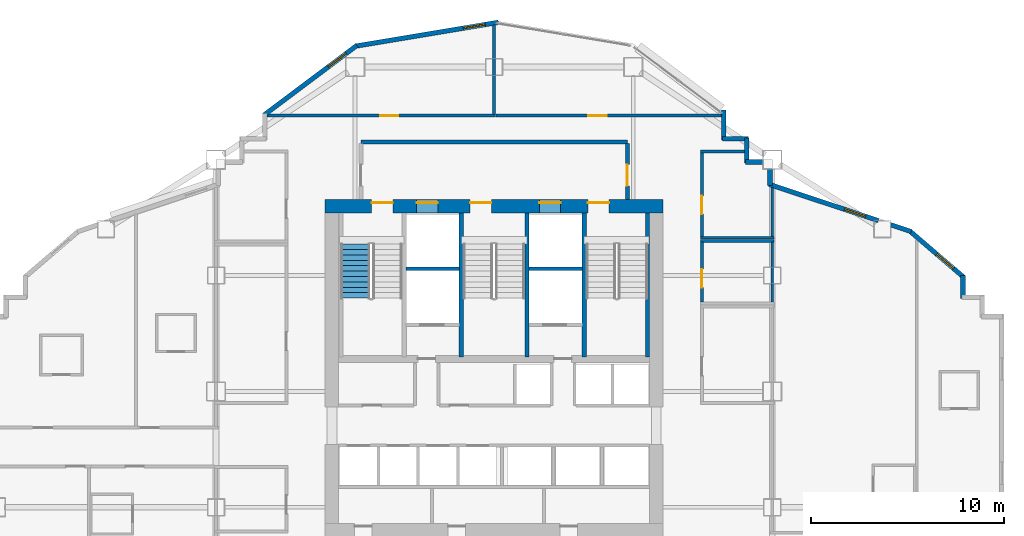
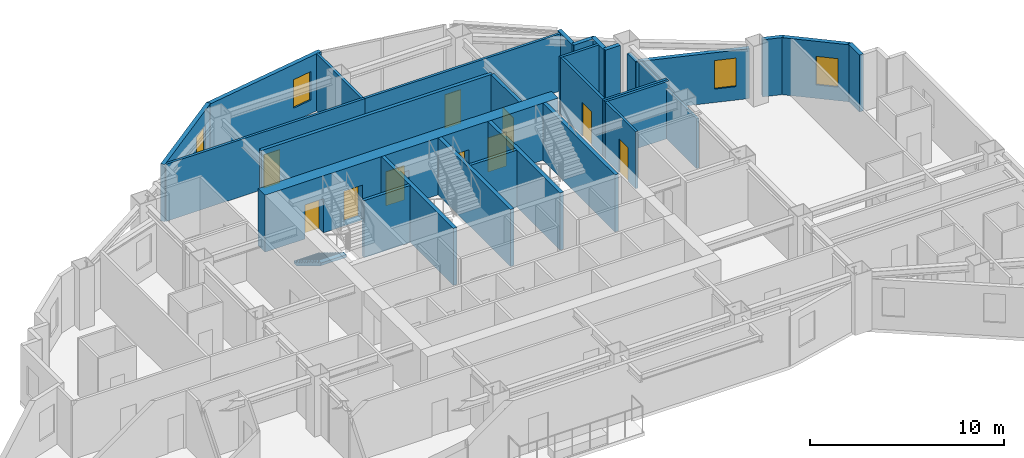
# One storey, part 9 of 14: 30 walls, 10 doors, 4 windows, 1 stair flight, 14 openings, 1 element without a shape of its own.
"""IFC4 building model written with IfcOpenShell, lengths in metres."""

from ifc_helpers import new_model, si_unit, direction, frame, frame_2d, origin, place, context, subcontext, project, spatial, polyline, rectangle, outline, extrude, material, layer, layer_set, type_object, element, fill, aggregate, save


model = new_model("IFC4")

# Units and contexts
model_context = context("Model", 3, precision=1e-05, world=origin(), true_north=direction((0.0, 1.0)))
body_context = subcontext(model_context, "Body", "Model", "MODEL_VIEW")
ifc_project = project(units=[si_unit("LENGTHUNIT", "METRE"), si_unit("AREAUNIT", "SQUARE_METRE"), si_unit("VOLUMEUNIT", "CUBIC_METRE"), si_unit("PLANEANGLEUNIT", "RADIAN"), si_unit("MASSUNIT", "GRAM", prefix="KILO")], contexts=[model_context])

# Site, building, storey
site_placement = place(None, origin())
site = spatial("IfcSite", under=ifc_project, at=site_placement, CompositionType="ELEMENT")
building_placement = place(site_placement, origin())
building = spatial("IfcBuilding", under=site, at=building_placement, Name="Haolan Belvedere Tower", CompositionType="ELEMENT")
storey_placement = place(building_placement, frame((0.0, 0.0, 113.60009765625)))
storey = spatial("IfcBuildingStorey", under=building, at=storey_placement, Name="L28", CompositionType="ELEMENT", Elevation=113.60009765625)

# Wall, openings, doors
ifc_material_1 = material(Name="Concrete C60/75", Category="concrete")
ifc_layer_1 = layer(ifc_material_1, 0.699951171875, Name="Concrete C60/75")
ifc_layer_set_1 = layer_set([ifc_layer_1], Name="Concrete C60/75")
wall_type_1 = type_object("IfcWallType", Name="WL-CORE-700", PredefinedType="SHEAR", material=ifc_layer_set_1)
wall_1_placement = place(storey_placement, frame((29.64990234375, 43.199951171875, 0.0), z_axis=(0.0, 0.0, 1.0), x_axis=(1.0, 0.0, 0.0)))
wall_1 = element("IfcWall", 1, at=wall_1_placement, inside=storey, type_object=wall_type_1, Name="L28 central core north shear wall", PredefinedType="SHEAR", context=body_context, shape_type="SweptSolid", body=[
    extrude(rectangle(XDim=17.5, YDim=0.699951171875, at=frame_2d((8.75, 0.0))), origin(), (0.0, 0.0, 1.0), 3.599853515625),
])
opening_1_placement = place(wall_1_placement, frame((2.39990234375, 0.0, 0.0)))
opening_1 = element("IfcOpeningElement", 2, at=opening_1_placement, cuts=wall_1, Name="Opening FD-03", PredefinedType="OPENING", context=body_context, shape_type="SweptSolid", body=[
    extrude(rectangle(XDim=1.10009765625, YDim=2.14990234375, at=frame_2d((0.550048828125, 1.074951171875))), frame((0.0, 0.35986328125, 0.0), z_axis=(0.0, -1.0, 0.0), x_axis=(1.0, 0.0, 0.0)), (0.0, 0.0, 1.0), 0.719970703125),
])
opening_2_placement = place(wall_1_placement, frame((7.510009765625, 0.0, 0.0)))
opening_2 = element("IfcOpeningElement", 3, at=opening_2_placement, cuts=wall_1, Name="Opening FD-03", PredefinedType="OPENING", context=body_context, shape_type="SweptSolid", body=[
    extrude(rectangle(XDim=1.10009765625, YDim=2.14990234375, at=frame_2d((0.550048828125, 1.074951171875))), frame((0.0, 0.35986328125, 0.0), z_axis=(0.0, -1.0, 0.0), x_axis=(1.0, 0.0, 0.0)), (0.0, 0.0, 1.0), 0.719970703125),
])
opening_3_placement = place(wall_1_placement, frame((13.60009765625, 0.0, 0.0)))
opening_3 = element("IfcOpeningElement", 4, at=opening_3_placement, cuts=wall_1, Name="Opening FD-03", PredefinedType="OPENING", context=body_context, shape_type="SweptSolid", body=[
    extrude(rectangle(XDim=1.10009765625, YDim=2.14990234375, at=frame_2d((0.550048828125, 1.074951171875))), frame((0.0, 0.35986328125, 0.0), z_axis=(0.0, -1.0, 0.0), x_axis=(1.0, 0.0, 0.0)), (0.0, 0.0, 1.0), 0.719970703125),
])
opening_4_placement = place(wall_1_placement, frame((4.72998046875, 0.0, 0.0)))
opening_4 = element("IfcOpeningElement", 5, at=opening_4_placement, cuts=wall_1, Name="Opening LD-01", PredefinedType="OPENING", context=body_context, shape_type="SweptSolid", body=[
    extrude(rectangle(XDim=1.10009765625, YDim=2.199951171875, at=frame_2d((0.550048828125, 1.10009765625))), frame((0.0, 0.35986328125, 0.0), z_axis=(0.0, -1.0, 0.0), x_axis=(1.0, 0.0, 0.0)), (0.0, 0.0, 1.0), 0.719970703125),
])
opening_5_placement = place(wall_1_placement, frame((11.090087890625, 0.0, 0.0)))
opening_5 = element("IfcOpeningElement", 6, at=opening_5_placement, cuts=wall_1, Name="Opening LD-01", PredefinedType="OPENING", context=body_context, shape_type="SweptSolid", body=[
    extrude(rectangle(XDim=1.10009765625, YDim=2.199951171875, at=frame_2d((0.550048828125, 1.10009765625))), frame((0.0, 0.35986328125, 0.0), z_axis=(0.0, -1.0, 0.0), x_axis=(1.0, 0.0, 0.0)), (0.0, 0.0, 1.0), 0.719970703125),
])
ifc_material_2 = material(Name="Galvanised fire-rated steel", Category="steel")
door_type_1 = type_object("IfcDoorType", Name="DR-FD90-1100", OperationType="NOTDEFINED", PredefinedType="DOOR", material=ifc_material_2)
door_1_placement = place(opening_1_placement, origin())
door_1 = element("IfcDoor", 7, at=door_1_placement, inside=storey, type_object=door_type_1, Name="L28 door CD-L28-ST1", OperationType="SINGLE_SWING_LEFT", OverallHeight=2.14990234375, OverallWidth=1.10009765625, PredefinedType="DOOR", context=body_context, shape_type="SweptSolid", body=[
    extrude(rectangle(XDim=1.10009765625, YDim=2.14990234375, at=frame_2d((0.550048828125, 1.074951171875))), frame((0.0, 0.18505859375, 0.0), z_axis=(0.0, -1.0, 0.0), x_axis=(1.0, 0.0, 0.0)), (0.0, 0.0, 1.0), 0.050048828125),
])
fill(opening_1, door_1)
door_2_placement = place(opening_2_placement, origin())
door_2 = element("IfcDoor", 8, at=door_2_placement, inside=storey, type_object=door_type_1, Name="L28 door CD-L28-ST3", OperationType="SINGLE_SWING_LEFT", OverallHeight=2.14990234375, OverallWidth=1.10009765625, PredefinedType="DOOR", context=body_context, shape_type="SweptSolid", body=[
    extrude(rectangle(XDim=1.10009765625, YDim=2.14990234375, at=frame_2d((0.550048828125, 1.074951171875))), frame((0.0, 0.18505859375, 0.0), z_axis=(0.0, -1.0, 0.0), x_axis=(1.0, 0.0, 0.0)), (0.0, 0.0, 1.0), 0.050048828125),
])
fill(opening_2, door_2)
door_3_placement = place(opening_3_placement, origin())
door_3 = element("IfcDoor", 9, at=door_3_placement, inside=storey, type_object=door_type_1, Name="L28 door CD-L28-ST2", OperationType="SINGLE_SWING_RIGHT", OverallHeight=2.14990234375, OverallWidth=1.10009765625, PredefinedType="DOOR", context=body_context, shape_type="SweptSolid", body=[
    extrude(rectangle(XDim=1.10009765625, YDim=2.14990234375, at=frame_2d((0.550048828125, 1.074951171875))), frame((0.0, 0.18505859375, 0.0), z_axis=(0.0, -1.0, 0.0), x_axis=(1.0, 0.0, 0.0)), (0.0, 0.0, 1.0), 0.050048828125),
])
fill(opening_3, door_3)
ifc_material_3 = material(Name="Brushed champagne stainless steel 316L", Category="steel")
door_type_2 = type_object("IfcDoorType", Name="DR-LIFT-1100", OperationType="SLIDING_TO_LEFT", PredefinedType="DOOR", material=ifc_material_3)
door_4_placement = place(opening_4_placement, origin())
door_4 = element("IfcDoor", 10, at=door_4_placement, inside=storey, type_object=door_type_2, Name="L28 door LD-L28-FF1", OperationType="SLIDING_TO_LEFT", OverallHeight=2.199951171875, OverallWidth=1.10009765625, PredefinedType="DOOR", context=body_context, shape_type="SweptSolid", body=[
    extrude(rectangle(XDim=1.10009765625, YDim=2.199951171875, at=frame_2d((0.550048828125, 1.10009765625))), frame((0.0, 0.18505859375, 0.0), z_axis=(0.0, -1.0, 0.0), x_axis=(1.0, 0.0, 0.0)), (0.0, 0.0, 1.0), 0.050048828125),
])
fill(opening_4, door_4)
door_5_placement = place(opening_5_placement, origin())
door_5 = element("IfcDoor", 11, at=door_5_placement, inside=storey, type_object=door_type_2, Name="L28 door LD-L28-FF2", OperationType="SLIDING_TO_LEFT", OverallHeight=2.199951171875, OverallWidth=1.10009765625, PredefinedType="DOOR", context=body_context, shape_type="SweptSolid", body=[
    extrude(rectangle(XDim=1.10009765625, YDim=2.199951171875, at=frame_2d((0.550048828125, 1.10009765625))), frame((0.0, 0.18505859375, 0.0), z_axis=(0.0, -1.0, 0.0), x_axis=(1.0, 0.0, 0.0)), (0.0, 0.0, 1.0), 0.050048828125),
])
fill(opening_5, door_5)

# Wall
ifc_material_4 = material(Name="Precast concrete C40/50", Category="concrete")
ifc_layer_2 = layer(ifc_material_4, 0.239990234375, Name="Precast concrete C40/50")
ifc_layer_set_2 = layer_set([ifc_layer_2], Name="Precast concrete C40/50")
wall_type_2 = type_object("IfcWallType", Name="WL-EXT-240", PredefinedType="SOLIDWALL", material=ifc_layer_set_2)
wall_2_placement = place(storey_placement, frame((62.679931640625, 38.425048828125, 0.0), z_axis=(0.0, 0.0, 1.0), x_axis=(0.0, 1.0, 0.0)))
element("IfcWall", 12, at=wall_2_placement, inside=storey, type_object=wall_type_2, Name="L28 pale-metal exterior spandrel wall 18.1", PredefinedType="SOLIDWALL", context=body_context, shape_type="SweptSolid", body=[
    extrude(rectangle(XDim=1.1748046875, YDim=0.239990234375, at=frame_2d((0.58740234375, 0.0))), origin(), (0.0, 0.0, 1.0), 3.599853515625),
])

# Wall, opening, window
wall_3_placement = place(storey_placement, frame((62.7216796875, 39.509033203125, 0.0), z_axis=(0.0, 0.0, 1.0), x_axis=(-0.759247334792, 0.650802185469, 0.0)))
wall_3 = element("IfcWall", 13, at=wall_3_placement, inside=storey, type_object=wall_type_2, Name="L28 pale-metal exterior spandrel wall 19.1", PredefinedType="SOLIDWALL", context=body_context, shape_type="SweptSolid", body=[
    extrude(rectangle(XDim=3.71923828125, YDim=0.239990234375, at=frame_2d((1.859619140625, 0.0))), origin(), (0.0, 0.0, 1.0), 3.599853515625),
])
opening_6_placement = place(wall_3_placement, frame((0.699951171875, 0.0, 0.85009765625)))
opening_6 = element("IfcOpeningElement", 14, at=opening_6_placement, cuts=wall_3, Name="Opening W-02", PredefinedType="OPENING", context=body_context, shape_type="SweptSolid", body=[
    extrude(rectangle(XDim=1.14990234375, YDim=1.800048828125, at=frame_2d((0.574951171875, 0.89990234375))), frame((0.0, 0.1298828125, 0.0), z_axis=(0.0, -1.0, 0.0), x_axis=(1.0, 0.0, 0.0)), (0.0, 0.0, 1.0), 0.260009765625),
])
ifc_material_5 = material(Name="Anodised aluminium 6063-T6 and Low-E glass", Category="aluminium")
window_type = type_object("IfcWindowType", Name="WN-DECO-Z2", PartitioningType="SINGLE_PANEL", PredefinedType="WINDOW", material=ifc_material_5)
window_1_placement = place(opening_6_placement, origin())
window_1 = element("IfcWindow", 15, at=window_1_placement, inside=storey, type_object=window_type, Name="L28 Art Deco chevron window 1", OverallHeight=1.800048828125, OverallWidth=1.14990234375, PartitioningType="SINGLE_PANEL", PredefinedType="WINDOW", context=body_context, shape_type="SweptSolid", body=[
    extrude(rectangle(XDim=1.14990234375, YDim=1.800048828125, at=frame_2d((0.574951171875, 0.89990234375))), frame((0.0, 0.030029296875, 0.0), z_axis=(0.0, -1.0, 0.0), x_axis=(1.0, 0.0, 0.0)), (0.0, 0.0, 1.0), 0.06005859375),
])
fill(opening_6, window_1)

# Wall
wall_4_placement = place(storey_placement, frame((59.991943359375, 41.876220703125, 0.0), z_axis=(0.0, 0.0, 1.0), x_axis=(-0.948661238983, 0.316293935527, 0.0)))
element("IfcWall", 16, at=wall_4_placement, inside=storey, type_object=wall_type_2, Name="L28 pale-metal exterior spandrel wall 20.1", PredefinedType="SOLIDWALL", context=body_context, shape_type="SweptSolid", body=[
    extrude(rectangle(XDim=1.10693359375, YDim=0.239990234375, at=frame_2d((0.553466796875, 0.0))), origin(), (0.0, 0.0, 1.0), 3.599853515625),
])

# Wall, opening, window
wall_5_placement = place(storey_placement, frame((58.294677734375, 42.44189453125, 0.0), z_axis=(0.0, 0.0, 1.0), x_axis=(-0.948687385027, 0.316215504823, 0.0)))
wall_5 = element("IfcWall", 17, at=wall_5_placement, inside=storey, type_object=wall_type_2, Name="L28 pale-metal exterior spandrel wall 20.2", PredefinedType="SOLIDWALL", context=body_context, shape_type="SweptSolid", body=[
    extrude(rectangle(XDim=5.973388671875, YDim=0.239990234375, at=frame_2d((2.98681640625, 0.0))), origin(), (0.0, 0.0, 1.0), 3.14501953125),
])
opening_7_placement = place(wall_5_placement, frame((0.699951171875, 0.0, 0.85009765625)))
opening_7 = element("IfcOpeningElement", 18, at=opening_7_placement, cuts=wall_5, Name="Opening W-02", PredefinedType="OPENING", context=body_context, shape_type="SweptSolid", body=[
    extrude(rectangle(XDim=1.14990234375, YDim=1.800048828125, at=frame_2d((0.574951171875, 0.89990234375))), frame((0.0, 0.1298828125, 0.0), z_axis=(0.0, -1.0, 0.0), x_axis=(1.0, 0.0, 0.0)), (0.0, 0.0, 1.0), 0.260009765625),
])
window_2_placement = place(opening_7_placement, origin())
window_2 = element("IfcWindow", 19, at=window_2_placement, inside=storey, type_object=window_type, Name="L28 Art Deco chevron window 1", OverallHeight=1.800048828125, OverallWidth=1.14990234375, PartitioningType="SINGLE_PANEL", PredefinedType="WINDOW", context=body_context, shape_type="SweptSolid", body=[
    extrude(rectangle(XDim=1.14990234375, YDim=1.800048828125, at=frame_2d((0.574951171875, 0.89990234375))), frame((0.0, 0.030029296875, 0.0), z_axis=(0.0, -1.0, 0.0), x_axis=(1.0, 0.0, 0.0)), (0.0, 0.0, 1.0), 0.06005859375),
])
fill(opening_7, window_2)

# Walls
wall_6_placement = place(storey_placement, frame((52.679931640625, 44.258544921875, 0.0), z_axis=(0.0, 0.0, 1.0), x_axis=(0.0, 1.0, 0.0)))
element("IfcWall", 20, at=wall_6_placement, inside=storey, type_object=wall_type_2, Name="L28 pale-metal exterior spandrel wall 21.1", PredefinedType="SOLIDWALL", context=body_context, shape_type="SweptSolid", body=[
    extrude(rectangle(XDim=0.849365234375, YDim=0.239990234375, at=frame_2d((0.4248046875, 0.0))), origin(), (0.0, 0.0, 1.0), 3.14501953125),
])
wall_7_placement = place(storey_placement, frame((52.30810546875, 45.47998046875, 0.0), z_axis=(0.0, 0.0, 1.0), x_axis=(-1.0, 0.0, 0.0)))
element("IfcWall", 21, at=wall_7_placement, inside=storey, type_object=wall_type_2, Name="L28 pale-metal exterior spandrel wall 22.1", PredefinedType="SOLIDWALL", context=body_context, shape_type="SweptSolid", body=[
    extrude(rectangle(XDim=0.883056640625, YDim=0.239990234375, at=frame_2d((0.44140625, 0.0))), origin(), (0.0, 0.0, 1.0), 3.599853515625),
])
wall_8_placement = place(storey_placement, frame((51.47998046875, 45.425048828125, 0.0), z_axis=(0.0, 0.0, 1.0), x_axis=(0.0, 1.0, 0.0)))
element("IfcWall", 22, at=wall_8_placement, inside=storey, type_object=wall_type_2, Name="L28 pale-metal exterior spandrel wall 23.1", PredefinedType="SOLIDWALL", context=body_context, shape_type="SweptSolid", body=[
    extrude(rectangle(XDim=1.31005859375, YDim=0.239990234375, at=frame_2d((0.655029296875, 0.0))), origin(), (0.0, 0.0, 1.0), 3.599853515625),
])
wall_9_placement = place(storey_placement, frame((51.534912109375, 46.679931640625, 0.0), z_axis=(0.0, 0.0, 1.0), x_axis=(-1.0, 0.0, 0.0)))
element("IfcWall", 23, at=wall_9_placement, inside=storey, type_object=wall_type_2, Name="L28 pale-metal exterior spandrel wall 24.1", PredefinedType="SOLIDWALL", context=body_context, shape_type="SweptSolid", body=[
    extrude(rectangle(XDim=1.309814453125, YDim=0.239990234375, at=frame_2d((0.65478515625, 0.0))), origin(), (0.0, 0.0, 1.0), 3.599853515625),
])
wall_10_placement = place(storey_placement, frame((50.280029296875, 46.625, 0.0), z_axis=(0.0, 0.0, 1.0), x_axis=(0.0, 1.0, 0.0)))
element("IfcWall", 24, at=wall_10_placement, inside=storey, type_object=wall_type_2, Name="L28 pale-metal exterior spandrel wall 25.1", PredefinedType="SOLIDWALL", context=body_context, shape_type="SweptSolid", body=[
    extrude(rectangle(XDim=1.5400390625, YDim=0.239990234375, at=frame_2d((0.77001953125, 0.0))), origin(), (0.0, 0.0, 1.0), 3.599853515625),
])

# Wall, opening, window
wall_11_placement = place(storey_placement, frame((38.621826171875, 52.71533203125, 0.0), z_axis=(0.0, 0.0, 1.0), x_axis=(-0.98639129485, -0.164414760418, 0.0)))
wall_11 = element("IfcWall", 25, at=wall_11_placement, inside=storey, type_object=wall_type_2, Name="L28 pale-metal exterior spandrel wall 28.1", PredefinedType="SOLIDWALL", context=body_context, shape_type="SweptSolid", body=[
    extrude(rectangle(XDim=7.530029296875, YDim=0.239990234375, at=frame_2d((3.76513671875, 0.0))), origin(), (0.0, 0.0, 1.0), 3.599853515625),
])
opening_8_placement = place(wall_11_placement, frame((0.699951171875, 0.0, 0.85009765625)))
opening_8 = element("IfcOpeningElement", 26, at=opening_8_placement, cuts=wall_11, Name="Opening W-02", PredefinedType="OPENING", context=body_context, shape_type="SweptSolid", body=[
    extrude(rectangle(XDim=1.14990234375, YDim=1.800048828125, at=frame_2d((0.574951171875, 0.89990234375))), frame((0.0, 0.1298828125, 0.0), z_axis=(0.0, -1.0, 0.0), x_axis=(1.0, 0.0, 0.0)), (0.0, 0.0, 1.0), 0.260009765625),
])
window_3_placement = place(opening_8_placement, origin())
window_3 = element("IfcWindow", 27, at=window_3_placement, inside=storey, type_object=window_type, Name="L28 Art Deco chevron window 1", OverallHeight=1.800048828125, OverallWidth=1.14990234375, PartitioningType="SINGLE_PANEL", PredefinedType="WINDOW", context=body_context, shape_type="SweptSolid", body=[
    extrude(rectangle(XDim=1.14990234375, YDim=1.800048828125, at=frame_2d((0.574951171875, 0.89990234375))), frame((0.0, 0.030029296875, 0.0), z_axis=(0.0, -1.0, 0.0), x_axis=(1.0, 0.0, 0.0)), (0.0, 0.0, 1.0), 0.06005859375),
])
fill(opening_8, window_3)

wall_12_placement = place(storey_placement, frame((31.29248046875, 51.519287109375, 0.0), z_axis=(0.0, 0.0, 1.0), x_axis=(-0.8, -0.6, 0.0)))
wall_12 = element("IfcWall", 28, at=wall_12_placement, inside=storey, type_object=wall_type_2, Name="L28 pale-metal exterior spandrel wall 29.1", PredefinedType="SOLIDWALL", context=body_context, shape_type="SweptSolid", body=[
    extrude(rectangle(XDim=6.0205078125, YDim=0.239990234375, at=frame_2d((3.01025390625, 0.0))), origin(), (0.0, 0.0, 1.0), 3.599853515625),
])
opening_9_placement = place(wall_12_placement, frame((0.699951171875, 0.0, 0.85009765625)))
opening_9 = element("IfcOpeningElement", 29, at=opening_9_placement, cuts=wall_12, Name="Opening W-02", PredefinedType="OPENING", context=body_context, shape_type="SweptSolid", body=[
    extrude(rectangle(XDim=1.14990234375, YDim=1.800048828125, at=frame_2d((0.574951171875, 0.89990234375))), frame((0.0, 0.1298828125, 0.0), z_axis=(0.0, -1.0, 0.0), x_axis=(1.0, 0.0, 0.0)), (0.0, 0.0, 1.0), 0.260009765625),
])
window_4_placement = place(opening_9_placement, origin())
window_4 = element("IfcWindow", 30, at=window_4_placement, inside=storey, type_object=window_type, Name="L28 Art Deco chevron window 1", OverallHeight=1.800048828125, OverallWidth=1.14990234375, PartitioningType="SINGLE_PANEL", PredefinedType="WINDOW", context=body_context, shape_type="SweptSolid", body=[
    extrude(rectangle(XDim=1.14990234375, YDim=1.800048828125, at=frame_2d((0.574951171875, 0.89990234375))), frame((0.0, 0.030029296875, 0.0), z_axis=(0.0, -1.0, 0.0), x_axis=(1.0, 0.0, 0.0)), (0.0, 0.0, 1.0), 0.06005859375),
])
fill(opening_9, window_4)

# Wall
ifc_material_6 = material(Name="Concrete C40/50", Category="concrete")
ifc_layer_3 = layer(ifc_material_6, 0.199951171875, Name="Concrete C40/50")
ifc_layer_set_3 = layer_set([ifc_layer_3], Name="Concrete C40/50")
wall_type_3 = type_object("IfcWallType", Name="WL-FIRE-200", PredefinedType="SOLIDWALL", material=ifc_layer_set_3)
wall_13_placement = place(storey_placement, frame((31.5, 46.52001953125, 0.0), z_axis=(0.0, 0.0, 1.0), x_axis=(1.0, 0.0, 0.0)))
element("IfcWall", 31, at=wall_13_placement, inside=storey, type_object=wall_type_3, Name="L28 interior partition IW-L28-FFL-N", PredefinedType="SOLIDWALL", context=body_context, shape_type="SweptSolid", body=[
    extrude(rectangle(XDim=13.800048828125, YDim=0.199951171875, at=frame_2d((6.89990234375, 0.0))), origin(), (0.0, 0.0, 1.0), 3.599853515625),
])

# Wall, opening, door
wall_14_placement = place(storey_placement, frame((45.300048828125, 43.550048828125, 0.0), z_axis=(0.0, 0.0, 1.0), x_axis=(0.0, 1.0, 0.0)))
wall_14 = element("IfcWall", 32, at=wall_14_placement, inside=storey, type_object=wall_type_3, Name="L28 interior partition IW-L28-FFL-E", PredefinedType="SOLIDWALL", context=body_context, shape_type="SweptSolid", body=[
    extrude(rectangle(XDim=2.885009765625, YDim=0.199951171875, at=frame_2d((1.4423828125, 0.0))), origin(), (0.0, 0.0, 1.0), 3.599853515625),
])
opening_10_placement = place(wall_14_placement, frame((0.699951171875, 0.0, 0.0)))
opening_10 = element("IfcOpeningElement", 33, at=opening_10_placement, cuts=wall_14, Name="Opening FD-03", PredefinedType="OPENING", context=body_context, shape_type="SweptSolid", body=[
    extrude(rectangle(XDim=1.10009765625, YDim=2.14990234375, at=frame_2d((0.550048828125, 1.074951171875))), frame((0.0, 0.10986328125, 0.0), z_axis=(0.0, -1.0, 0.0), x_axis=(1.0, 0.0, 0.0)), (0.0, 0.0, 1.0), 0.219970703125),
])
door_6_placement = place(opening_10_placement, origin())
door_6 = element("IfcDoor", 34, at=door_6_placement, inside=storey, type_object=door_type_1, Name="L28 door ID-L28-FFL-DE", OperationType="SINGLE_SWING_RIGHT", OverallHeight=2.14990234375, OverallWidth=1.10009765625, PredefinedType="DOOR", context=body_context, shape_type="SweptSolid", body=[
    extrude(rectangle(XDim=1.10009765625, YDim=2.14990234375, at=frame_2d((0.550048828125, 1.074951171875))), frame((0.0, 0.02490234375, 0.0), z_axis=(0.0, -1.0, 0.0), x_axis=(1.0, 0.0, 0.0)), (0.0, 0.0, 1.0), 0.050048828125),
])
fill(opening_10, door_6)

# Wall
ifc_material_7 = material(Name="Double gypsum acoustic stud partition", Category="masonry")
ifc_layer_4 = layer(ifc_material_7, 0.14990234375, Name="Double gypsum acoustic stud partition")
ifc_layer_set_4 = layer_set([ifc_layer_4], Name="Double gypsum acoustic stud partition")
wall_type_4 = type_object("IfcWallType", Name="WL-PART-150", PredefinedType="PARTITIONING", material=ifc_layer_set_4)
wall_15_placement = place(storey_placement, frame((49.080078125, 41.39990234375, 0.0), z_axis=(0.0, 0.0, 1.0), x_axis=(1.0, 0.0, 0.0)))
element("IfcWall", 35, at=wall_15_placement, inside=storey, type_object=wall_type_4, Name="L28 interior partition IW-L28-AWC-N", PredefinedType="PARTITIONING", context=body_context, shape_type="SweptSolid", body=[
    extrude(rectangle(XDim=3.7998046875, YDim=0.14990234375, at=frame_2d((1.89990234375, 0.0))), origin(), (0.0, 0.0, 1.0), 3.599853515625),
])

# Wall, opening, door
wall_16_placement = place(storey_placement, frame((49.159912109375, 38.219970703125, 0.0), z_axis=(0.0, 0.0, 1.0), x_axis=(0.0, 1.0, 0.0)))
wall_16 = element("IfcWall", 36, at=wall_16_placement, inside=storey, type_object=wall_type_4, Name="L28 interior partition IW-L28-AWC-W", PredefinedType="PARTITIONING", context=body_context, shape_type="SweptSolid", body=[
    extrude(rectangle(XDim=3.1201171875, YDim=0.14990234375, at=frame_2d((1.56005859375, 0.0))), origin(), (0.0, 0.0, 1.0), 3.599853515625),
])
opening_11_placement = place(wall_16_placement, frame((0.760009765625, 0.0, 0.0)))
opening_11 = element("IfcOpeningElement", 37, at=opening_11_placement, cuts=wall_16, Name="Opening ID-03", PredefinedType="OPENING", context=body_context, shape_type="SweptSolid", body=[
    extrude(rectangle(XDim=0.949951171875, YDim=2.1201171875, at=frame_2d((0.47509765625, 1.06005859375))), frame((0.0, 0.0849609375, 0.0), z_axis=(0.0, -1.0, 0.0), x_axis=(1.0, 0.0, 0.0)), (0.0, 0.0, 1.0), 0.169921875),
])
ifc_material_8 = material(Name="Painted solid-core timber", Category="wood")
door_type_3 = type_object("IfcDoorType", Name="DR-INT-950", OperationType="NOTDEFINED", PredefinedType="DOOR", material=ifc_material_8)
door_7_placement = place(opening_11_placement, origin())
door_7 = element("IfcDoor", 38, at=door_7_placement, inside=storey, type_object=door_type_3, Name="L28 door ID-L28-AWC", OperationType="SINGLE_SWING_LEFT", OverallHeight=2.1201171875, OverallWidth=0.949951171875, PredefinedType="DOOR", context=body_context, shape_type="SweptSolid", body=[
    extrude(rectangle(XDim=0.949951171875, YDim=2.1201171875, at=frame_2d((0.47509765625, 1.06005859375))), frame((0.0, 0.02490234375, 0.0), z_axis=(0.0, -1.0, 0.0), x_axis=(1.0, 0.0, 0.0)), (0.0, 0.0, 1.0), 0.050048828125),
])
fill(opening_11, door_7)

# Walls
wall_17_placement = place(storey_placement, frame((52.800048828125, 38.219970703125, 0.0), z_axis=(0.0, 0.0, 1.0), x_axis=(0.0, 1.0, 0.0)))
element("IfcWall", 39, at=wall_17_placement, inside=storey, type_object=wall_type_4, Name="L28 interior partition IW-L28-AWC-E", PredefinedType="PARTITIONING", context=body_context, shape_type="SweptSolid", body=[
    extrude(rectangle(XDim=3.1201171875, YDim=0.14990234375, at=frame_2d((1.56005859375, 0.0))), origin(), (0.0, 0.0, 1.0), 3.14501953125),
])
wall_18_placement = place(storey_placement, frame((49.080078125, 46.02001953125, 0.0), z_axis=(0.0, 0.0, 1.0), x_axis=(1.0, 0.0, 0.0)))
element("IfcWall", 40, at=wall_18_placement, inside=storey, type_object=wall_type_4, Name="L28 interior partition IW-L28-CLN-N", PredefinedType="PARTITIONING", context=body_context, shape_type="SweptSolid", body=[
    extrude(rectangle(XDim=2.294921875, YDim=0.14990234375, at=frame_2d((1.1474609375, 0.0))), origin(), (0.0, 0.0, 1.0), 3.599853515625),
])
wall_19_placement = place(storey_placement, frame((49.080078125, 41.56005859375, 0.0), z_axis=(0.0, 0.0, 1.0), x_axis=(1.0, 0.0, 0.0)))
element("IfcWall", 41, at=wall_19_placement, inside=storey, type_object=wall_type_4, Name="L28 interior partition IW-L28-CLN-S", PredefinedType="PARTITIONING", context=body_context, shape_type="SweptSolid", body=[
    extrude(rectangle(XDim=3.7998046875, YDim=0.14990234375, at=frame_2d((1.89990234375, 0.0))), origin(), (0.0, 0.0, 1.0), 3.599853515625),
])

# Wall, opening, door
wall_20_placement = place(storey_placement, frame((49.159912109375, 41.6201171875, 0.0), z_axis=(0.0, 0.0, 1.0), x_axis=(0.0, 1.0, 0.0)))
wall_20 = element("IfcWall", 42, at=wall_20_placement, inside=storey, type_object=wall_type_4, Name="L28 interior partition IW-L28-CLN-W", PredefinedType="PARTITIONING", context=body_context, shape_type="SweptSolid", body=[
    extrude(rectangle(XDim=4.33984375, YDim=0.14990234375, at=frame_2d((2.169921875, 0.0))), origin(), (0.0, 0.0, 1.0), 3.599853515625),
])
opening_12_placement = place(wall_20_placement, frame((1.159912109375, 0.0, 0.0)))
opening_12 = element("IfcOpeningElement", 43, at=opening_12_placement, cuts=wall_20, Name="Opening ID-03", PredefinedType="OPENING", context=body_context, shape_type="SweptSolid", body=[
    extrude(rectangle(XDim=0.949951171875, YDim=2.1201171875, at=frame_2d((0.47509765625, 1.06005859375))), frame((0.0, 0.0849609375, 0.0), z_axis=(0.0, -1.0, 0.0), x_axis=(1.0, 0.0, 0.0)), (0.0, 0.0, 1.0), 0.169921875),
])
door_8_placement = place(opening_12_placement, origin())
door_8 = element("IfcDoor", 44, at=door_8_placement, inside=storey, type_object=door_type_3, Name="L28 door ID-L28-CLN", OperationType="SINGLE_SWING_RIGHT", OverallHeight=2.1201171875, OverallWidth=0.949951171875, PredefinedType="DOOR", context=body_context, shape_type="SweptSolid", body=[
    extrude(rectangle(XDim=0.949951171875, YDim=2.1201171875, at=frame_2d((0.47509765625, 1.06005859375))), frame((0.0, 0.02490234375, 0.0), z_axis=(0.0, -1.0, 0.0), x_axis=(1.0, 0.0, 0.0)), (0.0, 0.0, 1.0), 0.050048828125),
])
fill(opening_12, door_8)

# Wall
wall_21_placement = place(storey_placement, frame((52.800048828125, 41.6201171875, 0.0), z_axis=(0.0, 0.0, 1.0), x_axis=(0.0, 1.0, 0.0)))
element("IfcWall", 45, at=wall_21_placement, inside=storey, type_object=wall_type_4, Name="L28 interior partition IW-L28-CLN-E", PredefinedType="PARTITIONING", context=body_context, shape_type="SweptSolid", body=[
    extrude(rectangle(XDim=2.542724609375, YDim=0.14990234375, at=frame_2d((1.271484375, 0.0))), origin(), (0.0, 0.0, 1.0), 3.14501953125),
])

# Wall, opening, door
wall_22_placement = place(storey_placement, frame((26.625, 47.8798828125, 0.0), z_axis=(0.0, 0.0, 1.0), x_axis=(1.0, 0.0, 0.0)))
wall_22 = element("IfcWall", 46, at=wall_22_placement, inside=storey, type_object=wall_type_4, Name="L28 interior partition IW-L28-KN1-S", PredefinedType="PARTITIONING", context=body_context, shape_type="SweptSolid", body=[
    extrude(rectangle(XDim=11.85498046875, YDim=0.14990234375, at=frame_2d((5.927490234375, 0.0))), origin(), (0.0, 0.0, 1.0), 3.599853515625),
])
opening_13_placement = place(wall_22_placement, frame((5.8701171875, 0.0, 0.0)))
opening_13 = element("IfcOpeningElement", 47, at=opening_13_placement, cuts=wall_22, Name="Opening ID-03", PredefinedType="OPENING", context=body_context, shape_type="SweptSolid", body=[
    extrude(rectangle(XDim=0.949951171875, YDim=2.1201171875, at=frame_2d((0.47509765625, 1.06005859375))), frame((0.0, 0.0849609375, 0.0), z_axis=(0.0, -1.0, 0.0), x_axis=(1.0, 0.0, 0.0)), (0.0, 0.0, 1.0), 0.169921875),
])
door_9_placement = place(opening_13_placement, origin())
door_9 = element("IfcDoor", 48, at=door_9_placement, inside=storey, type_object=door_type_3, Name="L28 door ID-L28-KN1", OperationType="SINGLE_SWING_LEFT", OverallHeight=2.1201171875, OverallWidth=0.949951171875, PredefinedType="DOOR", context=body_context, shape_type="SweptSolid", body=[
    extrude(rectangle(XDim=0.949951171875, YDim=2.1201171875, at=frame_2d((0.47509765625, 1.06005859375))), frame((0.0, 0.02490234375, 0.0), z_axis=(0.0, -1.0, 0.0), x_axis=(1.0, 0.0, 0.0)), (0.0, 0.0, 1.0), 0.050048828125),
])
fill(opening_13, door_9)

# Wall
wall_23_placement = place(storey_placement, frame((38.39990234375, 47.93994140625, 0.0), z_axis=(0.0, 0.0, 1.0), x_axis=(0.0, 1.0, 0.0)))
element("IfcWall", 49, at=wall_23_placement, inside=storey, type_object=wall_type_4, Name="L28 interior partition IW-L28-KN1-E", PredefinedType="PARTITIONING", context=body_context, shape_type="SweptSolid", body=[
    extrude(rectangle(XDim=4.632080078125, YDim=0.14990234375, at=frame_2d((2.31591796875, 0.0))), origin(), (0.0, 0.0, 1.0), 3.599853515625),
])

# Wall, opening, door
wall_24_placement = place(storey_placement, frame((38.48193359375, 47.8798828125, 0.0), z_axis=(0.0, 0.0, 1.0), x_axis=(1.0, 0.0, 0.0)))
wall_24 = element("IfcWall", 50, at=wall_24_placement, inside=storey, type_object=wall_type_4, Name="L28 interior partition IW-L28-KN2-S", PredefinedType="PARTITIONING", context=body_context, shape_type="SweptSolid", body=[
    extrude(rectangle(XDim=11.693115234375, YDim=0.14990234375, at=frame_2d((5.8466796875, 0.0))), origin(), (0.0, 0.0, 1.0), 3.599853515625),
])
opening_14_placement = place(wall_24_placement, frame((4.79296875, 0.0, 0.0)))
opening_14 = element("IfcOpeningElement", 51, at=opening_14_placement, cuts=wall_24, Name="Opening ID-03", PredefinedType="OPENING", context=body_context, shape_type="SweptSolid", body=[
    extrude(rectangle(XDim=0.949951171875, YDim=2.1201171875, at=frame_2d((0.47509765625, 1.06005859375))), frame((0.0, 0.0849609375, 0.0), z_axis=(0.0, -1.0, 0.0), x_axis=(1.0, 0.0, 0.0)), (0.0, 0.0, 1.0), 0.169921875),
])
door_10_placement = place(opening_14_placement, origin())
door_10 = element("IfcDoor", 52, at=door_10_placement, inside=storey, type_object=door_type_3, Name="L28 door ID-L28-KN2", OperationType="SINGLE_SWING_RIGHT", OverallHeight=2.1201171875, OverallWidth=0.949951171875, PredefinedType="DOOR", context=body_context, shape_type="SweptSolid", body=[
    extrude(rectangle(XDim=0.949951171875, YDim=2.1201171875, at=frame_2d((0.47509765625, 1.06005859375))), frame((0.0, 0.02490234375, 0.0), z_axis=(0.0, -1.0, 0.0), x_axis=(1.0, 0.0, 0.0)), (0.0, 0.0, 1.0), 0.050048828125),
])
fill(opening_14, door_10)

# Walls
ifc_layer_5 = layer(ifc_material_4, 0.179931640625, Name="Precast concrete C40/50")
ifc_layer_set_5 = layer_set([ifc_layer_5], Name="Precast concrete C40/50")
wall_type_5 = type_object("IfcWallType", Name="WL-SHAFT-180", PredefinedType="SOLIDWALL", material=ifc_layer_set_5)
for number, where, z_axis, x_axis, name in (
    (53, (33.8349609375, 39.949951171875, 0.0), (0.0, 0.0, 1.0), (1.0, 0.0, 0.0), "L28 interior partition IW-L28-FF1-S"),
    (54, (40.195068359375, 39.949951171875, 0.0), (0.0, 0.0, 1.0), (1.0, 0.0, 0.0), "L28 interior partition IW-L28-FF2-S"),
):
    element("IfcWall", number, at=place(storey_placement, frame(where, z_axis=z_axis, x_axis=x_axis)), inside=storey, type_object=wall_type_5, Name=name, PredefinedType="SOLIDWALL", context=body_context, shape_type="SweptSolid", body=[
        extrude(rectangle(XDim=2.77001953125, YDim=0.179931640625, at=frame_2d((1.385009765625, 0.0))), origin(), (0.0, 0.0, 1.0), 3.599853515625),
    ])
ifc_material_9 = material(Name="Concrete C50/60", Category="concrete")
ifc_layer_6 = layer(ifc_material_9, 0.219970703125, Name="Concrete C50/60")
ifc_layer_set_6 = layer_set([ifc_layer_6], Name="Concrete C50/60")
wall_type_6 = type_object("IfcWallType", Name="WL-STAIR-220", PredefinedType="SHEAR", material=ifc_layer_set_6)
for number, where, z_axis, x_axis, name in (
    (55, (36.699951171875, 35.389892578125, 0.0), (0.0, 0.0, 1.0), (0.0, 1.0, 0.0), "L28 structural stair core wall ST3W"),
    (56, (40.10009765625, 35.389892578125, 0.0), (0.0, 0.0, 1.0), (0.0, 1.0, 0.0), "L28 structural stair core wall ST3E"),
    (57, (43.06005859375, 35.389892578125, 0.0), (0.0, 0.0, 1.0), (0.0, 1.0, 0.0), "L28 structural stair core wall ST2W"),
    (58, (46.337890625, 35.389892578125, 0.0), (0.0, 0.0, 1.0), (0.0, 1.0, 0.0), "L28 structural stair core wall ST2E"),
):
    element("IfcWall", number, at=place(storey_placement, frame(where, z_axis=z_axis, x_axis=x_axis)), inside=storey, type_object=wall_type_6, Name=name, PredefinedType="SHEAR", context=body_context, shape_type="SweptSolid", body=[
        extrude(rectangle(XDim=7.460205078125, YDim=0.219970703125, at=frame_2d((3.72998046875, 0.0))), origin(), (0.0, 0.0, 1.0), 3.599853515625),
    ])

# Stair, stair flight
stair_type = type_object("IfcStairType", Name="STR-DL-22R-173", PredefinedType="HALF_TURN_STAIR", material=ifc_material_6)
stair_placement = place(storey_placement, origin())
stair = element("IfcStair", 59, at=stair_placement, inside=storey, type_object=stair_type, Name="L28 Smokeproof Core Exit Stair ST1", PredefinedType="HALF_TURN_STAIR")
stair_flight_type = type_object("IfcStairFlightType", Name="SFL-DL-11R-173", PredefinedType="STRAIGHT", material=ifc_material_6)
stair_flight_placement = place(storey_placement, frame((31.2099609375, 41.22998046875, 0.0), z_axis=(0.0, 0.0, 1.0), x_axis=(0.0, -1.0, 0.0)))
stair_flight = element("IfcStairFlight", 60, at=stair_flight_placement, type_object=stair_flight_type, Name="ST1 flight 1", NumberOfRisers=11, NumberOfTreads=10, PredefinedType="STRAIGHT", RiserHeight=0.172727273, TreadLength=0.28, context=body_context, shape_type="SweptSolid", body=[
    extrude(outline(polyline([(0.0, 0.0), (0.0, 0.172607421875), (0.280029296875, 0.172607421875), (0.280029296875, 0.345458984375), (0.56005859375, 0.345458984375), (0.56005859375, 0.51806640625), (0.840087890625, 0.51806640625), (0.840087890625, 0.69091796875), (1.1201171875, 0.69091796875), (1.1201171875, 0.863525390625), (1.39990234375, 0.863525390625), (1.39990234375, 1.036376953125), (1.679931640625, 1.036376953125), (1.679931640625, 1.208984375), (1.9599609375, 1.208984375), (1.9599609375, 1.3818359375), (2.239990234375, 1.3818359375), (2.239990234375, 1.554443359375), (2.52001953125, 1.554443359375), (2.52001953125, 1.727294921875), (2.800048828125, 1.727294921875), (2.800048828125, 1.89990234375), (2.800048828125, 1.551025390625), (0.285400390625, 0.0), (0.0, 0.0)])), frame((0.0, 0.760009765625, 0.0), z_axis=(0.0, -1.0, 0.0), x_axis=(1.0, 0.0, 0.0)), (0.0, 0.0, 1.0), 1.52001953125),
])
aggregate(stair, [stair_flight])

save(model, "model.ifc")
